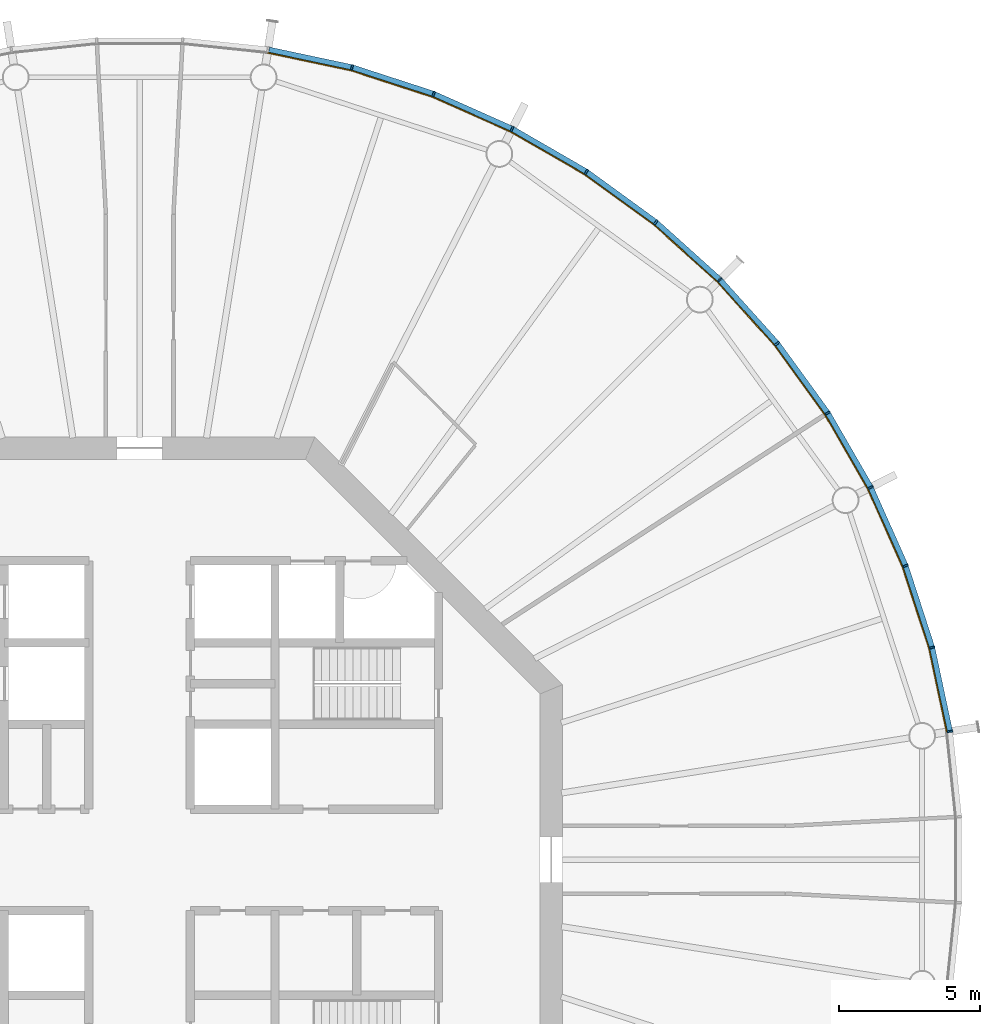
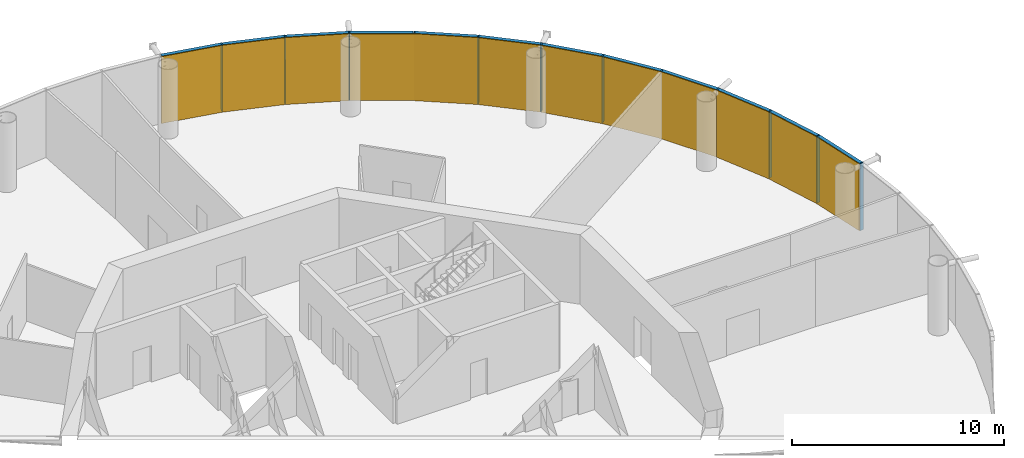
# One storey, part 16 of 17: 24 members, 4 curtain walls.
"""IFC4 building model written with IfcOpenShell, lengths in metres."""

import ifcopenshell
import ifcopenshell.guid

model = None  # the IFC model being written
_history = None  # IfcOwnerHistory: only IFC2X3 demands one
_inside = {}  # id of a spatial element -> (the spatial element, [elements in it])
_under = {}  # id of a project, library or spatial element -> (it, [spatial elements below it])
_declared = {}  # id of a project -> (the project, [libraries it declares])
_typed = {}  # id of a type object -> (the type object, [elements of that type])
_made_of = {}  # id of a material, layer set ... -> (it, [elements and type objects made of it])


def new_model(schema):
    """Start an empty IFC model of exactly this schema.

    Asked for "IFC4X3", IfcOpenShell would pick the latest addendum, in which some entities
    have other attributes; the version numbers below select the first issue.
    IFC2X3 requires an IfcOwnerHistory on every rooted entity: one is made here for all.
    """
    global model, _history
    if schema == "IFC4X3":
        model = ifcopenshell.file(schema_version=(4, 3, 0, 0))
    else:
        model = ifcopenshell.file(schema=schema)
    _inside.clear()
    _under.clear()
    _declared.clear()
    _typed.clear()
    _made_of.clear()
    _history = None
    if model.schema == "IFC2X3":
        org = make("IfcOrganization", Name="unknown")
        user = make(
            "IfcPersonAndOrganization",
            ThePerson=make("IfcPerson", FamilyName="unknown"),
            TheOrganization=org,
        )
        app = make(
            "IfcApplication",
            ApplicationDeveloper=org,
            Version="unknown",
            ApplicationFullName="unknown",
            ApplicationIdentifier="unknown",
        )
        _history = make(
            "IfcOwnerHistory",
            OwningUser=user,
            OwningApplication=app,
            ChangeAction="ADDED",
            CreationDate=0,
        )
    return model


def make(cls, **values):
    """One entity of the class cls with the attributes given. An attribute that is None is left unset."""
    return model.create_entity(
        cls, **{name: value for name, value in values.items() if value is not None}
    )


def rooted(cls, **values):
    """An entity with a GlobalId (a new one), such as an element, a storey or a relation."""
    return make(cls, GlobalId=ifcopenshell.guid.new(), OwnerHistory=_history, **values)


def si_unit(unit_type, name, prefix=None):
    """IfcSIUnit, for example si_unit("LENGTHUNIT", "METRE", prefix="MILLI")."""
    return make("IfcSIUnit", UnitType=unit_type, Prefix=prefix, Name=name)


def assignment(units):
    """IfcUnitAssignment: the units of a project."""
    return None if units is None else make("IfcUnitAssignment", Units=units)


def point(xyz):
    """IfcCartesianPoint."""
    return None if xyz is None else make("IfcCartesianPoint", Coordinates=xyz)


def direction(xyz):
    """IfcDirection."""
    return None if xyz is None else make("IfcDirection", DirectionRatios=xyz)


def frame(location, z_axis=None, x_axis=None):
    """IfcAxis2Placement3D, a coordinate frame: its origin and axes. An axis left out is left unset."""
    return make(
        "IfcAxis2Placement3D",
        Location=point(location),
        Axis=direction(z_axis),
        RefDirection=direction(x_axis),
    )


def frame_2d(location, x_axis=None):
    """IfcAxis2Placement2D, a coordinate frame in the plane: its origin and x axis."""
    return make(
        "IfcAxis2Placement2D", Location=point(location), RefDirection=direction(x_axis)
    )


def origin():
    """The frame at (0, 0, 0) with its axes left unset."""
    return frame((0.0, 0.0, 0.0))


def origin_2d():
    """The frame at (0, 0) in the plane with its x axis left unset."""
    return frame_2d((0.0, 0.0))


def place(relative_to, where):
    """IfcLocalPlacement: puts the frame where relative to a parent placement (None: the world)."""
    return make(
        "IfcLocalPlacement", PlacementRelTo=relative_to, RelativePlacement=where
    )


def context(
    kind, dimensions, precision=None, world=None, true_north=None, identifier=None
):
    """IfcGeometricRepresentationContext, for example the 3D "Model" context."""
    return make(
        "IfcGeometricRepresentationContext",
        ContextIdentifier=identifier,
        ContextType=kind,
        CoordinateSpaceDimension=dimensions,
        Precision=precision,
        WorldCoordinateSystem=world,
        TrueNorth=true_north,
    )


def subcontext(parent, identifier, kind, view, scale=None):
    """IfcGeometricRepresentationSubContext, for example "Body" below "Model"."""
    return make(
        "IfcGeometricRepresentationSubContext",
        ContextIdentifier=identifier,
        ContextType=kind,
        ParentContext=parent,
        TargetScale=scale,
        TargetView=view,
    )


def project(units=None, contexts=None):
    """IfcProject with its units and contexts."""
    return rooted(
        "IfcProject",
        Name="project",
        RepresentationContexts=contexts,
        UnitsInContext=assignment(units),
    )


def spatial(cls, under=None, at=None, **own):
    """A site, building, storey or space (cls), placed at a placement, below another one or the project."""
    s = rooted(cls, ObjectPlacement=at, **own)
    if under is not None:
        _under.setdefault(under.id(), (under, []))[1].append(s)
    return s


def polyline(points):
    """IfcPolyline through the points."""
    return make("IfcPolyline", Points=[point(p) for p in points])


def profile(cls, at=None, kind="AREA", **sizes):
    """A parametric profile (cls). Its sizes go by their IFC names, for example OverallWidth=200.0."""
    return make(cls, ProfileType=kind, Position=at, **sizes)


def rectangle(**sizes):
    """IfcRectangleProfileDef."""
    return profile("IfcRectangleProfileDef", **sizes)


def outline(outer, holes=None, kind="AREA"):
    """IfcArbitraryClosedProfileDef: a profile drawn as a closed curve; with holes, ...WithVoids."""
    if holes is None:
        return make("IfcArbitraryClosedProfileDef", ProfileType=kind, OuterCurve=outer)
    return make(
        "IfcArbitraryProfileDefWithVoids",
        ProfileType=kind,
        OuterCurve=outer,
        InnerCurves=holes,
    )


def extrude(swept, where, along, depth):
    """IfcExtrudedAreaSolid: the profile swept, set in the frame where, extruded along a direction by depth."""
    return make(
        "IfcExtrudedAreaSolid",
        SweptArea=swept,
        Position=where,
        ExtrudedDirection=direction(along),
        Depth=depth,
    )


def shape(context_of_items, identifier, shape_type, items):
    """IfcShapeRepresentation: the items that make up one representation, for example the "Body"."""
    return make(
        "IfcShapeRepresentation",
        ContextOfItems=context_of_items,
        RepresentationIdentifier=identifier,
        RepresentationType=shape_type,
        Items=items,
    )


def material(Name=None, Category=None):
    """IfcMaterial."""
    return make("IfcMaterial", Name=Name, Category=Category)


def layer(
    of_material, thickness, ventilated=None, Name=None, Category=None, Priority=None
):
    """IfcMaterialLayer: one layer of a wall or slab, of a material (None: an air gap)."""
    return make(
        "IfcMaterialLayer",
        Material=of_material,
        LayerThickness=thickness,
        IsVentilated=ventilated,
        Name=Name,
        Category=Category,
        Priority=Priority,
    )


def layer_set(layers, Name=None):
    """IfcMaterialLayerSet."""
    return make("IfcMaterialLayerSet", MaterialLayers=layers, LayerSetName=Name)


def material_profile(
    of_material, cross_section, Name=None, Category=None, Priority=None
):
    """IfcMaterialProfile: a cross section and its material."""
    return make(
        "IfcMaterialProfile",
        Name=Name,
        Material=of_material,
        Profile=cross_section,
        Priority=Priority,
        Category=Category,
    )


def profile_set(profiles, Name=None, composite=None):
    """IfcMaterialProfileSet."""
    return make(
        "IfcMaterialProfileSet",
        Name=Name,
        MaterialProfiles=profiles,
        CompositeProfile=composite,
    )


def made_of(thing, what):
    """Note that an element or type object is made of a material, layer set ...; save() writes the relation."""
    if what is not None:
        _made_of.setdefault(what.id(), (what, []))[1].append(thing)
    return thing


def type_object(cls, material=None, **own):
    """A type object (cls), such as IfcWallType, which elements share."""
    return made_of(rooted(cls, **own), material)


def element(
    cls,
    number,
    at=None,
    inside=None,
    cuts=None,
    type_object=None,
    material=None,
    context=None,
    identifier="Body",
    shape_type=None,
    held_by="IfcProductDefinitionShape",
    body=None,
    shapes=None,
    **own,
):
    """One element of the class cls, such as IfcWall. Its Tag is "e" and its number.

    at: its placement. inside: the storey or other place that contains it. cuts: it is an
    opening in that element (IfcRelVoidsElement). A single representation is given by context,
    identifier, shape_type and body (its items); several are given by shapes. held_by: the class
    of the entity that holds the representations. save() writes the other relations.
    """
    e = rooted(cls, Tag="e%d" % number, ObjectPlacement=at, **own)
    if body is not None:
        shapes = [shape(context, identifier, shape_type, body)]
    if shapes is not None:
        e.Representation = make(held_by, Representations=shapes)
    if inside is not None:
        _inside.setdefault(inside.id(), (inside, []))[1].append(e)
    if cuts is not None:
        rooted(
            "IfcRelVoidsElement", RelatingBuildingElement=cuts, RelatedOpeningElement=e
        )
    if type_object is not None:
        _typed.setdefault(type_object.id(), (type_object, []))[1].append(e)
    return made_of(e, material)


def aggregate(whole, parts):
    """IfcRelAggregates: a whole, such as a stair, and the parts it consists of."""
    return rooted("IfcRelAggregates", RelatingObject=whole, RelatedObjects=parts)


def save(model, path):
    """Write the relations noted so far, then the file.

    IfcRelAggregates (storeys below a building ...), IfcRelContainedInSpatialStructure (elements
    in a storey), IfcRelDefinesByType, IfcRelAssociatesMaterial and IfcRelDeclares: one each for
    every whole, place, type object, material and project.
    """
    for whole, parts in _under.values():
        aggregate(whole, parts)
    for where, things in _inside.values():
        rooted(
            "IfcRelContainedInSpatialStructure",
            RelatedElements=things,
            RelatingStructure=where,
        )
    for kind, things in _typed.values():
        rooted("IfcRelDefinesByType", RelatedObjects=things, RelatingType=kind)
    for what, things in _made_of.values():
        rooted("IfcRelAssociatesMaterial", RelatedObjects=things, RelatingMaterial=what)
    for by, libraries in _declared.values():
        rooted("IfcRelDeclares", RelatingContext=by, RelatedDefinitions=libraries)
    model.write(path)


model = new_model("IFC4")

# Units and contexts
model_context = context("Model", 3, precision=1e-05, world=origin(), true_north=direction((0.0, 1.0)))
body_context = subcontext(model_context, "Body", "Model", "MODEL_VIEW")
ifc_project = project(units=[si_unit("LENGTHUNIT", "METRE"), si_unit("AREAUNIT", "SQUARE_METRE"), si_unit("VOLUMEUNIT", "CUBIC_METRE"), si_unit("PLANEANGLEUNIT", "RADIAN"), si_unit("MASSUNIT", "GRAM", prefix="KILO")], contexts=[model_context])

# Member
ifc_material_1 = material(Name="Anodised aluminium", Category="aluminium")
ifc_material_profile_1 = material_profile(ifc_material_1, rectangle(XDim=0.06494140625, YDim=0.195068359375, at=origin_2d()), Name="Mullion 65 x 195 mm anodised aluminium")
ifc_profile_set_1 = profile_set([ifc_material_profile_1], Name="Anodised aluminium")
member_type_1 = type_object("IfcMemberType", Name="Mullion 65 x 195 mm anodised aluminium", PredefinedType="MULLION", material=ifc_profile_set_1)
site_placement = place(None, origin())
building_placement = place(site_placement, origin())
storey_placement = place(building_placement, frame((0.0, 0.0, 306.0)))
member_1_placement = place(storey_placement, frame((118.7392578125, 84.5517578125, 0.0), z_axis=(0.0, 0.0, 1.0), x_axis=(-0.15643446504, 0.987688340595, 0.0)))
member_1 = element("IfcMember", 1, at=member_1_placement, type_object=member_type_1, Name="MULLION L70-00", PredefinedType="MULLION", context=body_context, shape_type="SweptSolid", body=[
    extrude(rectangle(XDim=0.06494140625, YDim=0.195068359375, at=origin_2d()), origin(), (0.0, 0.0, 1.0), 3.85009765625),
])

member_2_placement = place(storey_placement, frame((118.10595703125, 87.531005859375, 0.0), z_axis=(0.0, 0.0, 1.0), x_axis=(-0.258819045103, 0.965925826289, 0.0)))
member_2 = element("IfcMember", 2, at=member_2_placement, type_object=member_type_1, Name="MULLION L70-01", PredefinedType="MULLION", context=body_context, shape_type="SweptSolid", body=[
    extrude(rectangle(XDim=0.06494140625, YDim=0.195068359375, at=origin_2d()), origin(), (0.0, 0.0, 1.0), 3.85009765625),
])

member_3_placement = place(storey_placement, frame((117.164794921875, 90.427490234375, 0.0), z_axis=(0.0, 0.0, 1.0), x_axis=(-0.358367949545, 0.933580426497, 0.0)))
member_3 = element("IfcMember", 3, at=member_3_placement, type_object=member_type_1, Name="MULLION L70-02", PredefinedType="MULLION", context=body_context, shape_type="SweptSolid", body=[
    extrude(rectangle(XDim=0.06494140625, YDim=0.195068359375, at=origin_2d()), origin(), (0.0, 0.0, 1.0), 3.85009765625),
])

member_4_placement = place(storey_placement, frame((115.926025390625, 93.2099609375, 0.0), z_axis=(0.0, 0.0, 1.0), x_axis=(-0.45399049974, 0.891006524188, 0.0)))
member_4 = element("IfcMember", 4, at=member_4_placement, type_object=member_type_1, Name="MULLION L70-03", PredefinedType="MULLION", context=body_context, shape_type="SweptSolid", body=[
    extrude(rectangle(XDim=0.06494140625, YDim=0.195068359375, at=origin_2d()), origin(), (0.0, 0.0, 1.0), 3.85009765625),
])

member_5_placement = place(storey_placement, frame((114.4033203125, 95.84765625, 0.0), z_axis=(0.0, 0.0, 1.0), x_axis=(-0.544639035015, 0.838670567945, 0.0)))
member_5 = element("IfcMember", 5, at=member_5_placement, type_object=member_type_1, Name="MULLION L70-04", PredefinedType="MULLION", context=body_context, shape_type="SweptSolid", body=[
    extrude(rectangle(XDim=0.06494140625, YDim=0.195068359375, at=origin_2d()), origin(), (0.0, 0.0, 1.0), 3.85009765625),
])

member_6_placement = place(storey_placement, frame((112.613037109375, 98.311767578125, 0.0), z_axis=(0.0, 0.0, 1.0), x_axis=(-0.62932039105, 0.777145961457, 0.0)))
member_6 = element("IfcMember", 6, at=member_6_placement, type_object=member_type_1, Name="MULLION L70-05", PredefinedType="MULLION", context=body_context, shape_type="SweptSolid", body=[
    extrude(rectangle(XDim=0.06494140625, YDim=0.195068359375, at=origin_2d()), origin(), (0.0, 0.0, 1.0), 3.85009765625),
])

member_7_placement = place(storey_placement, frame((110.574951171875, 100.574951171875, 0.0), z_axis=(0.0, 0.0, 1.0), x_axis=(-0.707106781187, 0.707106781187, 0.0)))
member_7 = element("IfcMember", 7, at=member_7_placement, type_object=member_type_1, Name="MULLION L70-06", PredefinedType="MULLION", context=body_context, shape_type="SweptSolid", body=[
    extrude(rectangle(XDim=0.06494140625, YDim=0.195068359375, at=origin_2d()), origin(), (0.0, 0.0, 1.0), 3.85009765625),
])

member_8_placement = place(storey_placement, frame((108.311767578125, 102.613037109375, 0.0), z_axis=(0.0, 0.0, 1.0), x_axis=(-0.777145961457, 0.62932039105, 0.0)))
member_8 = element("IfcMember", 8, at=member_8_placement, type_object=member_type_1, Name="MULLION L70-07", PredefinedType="MULLION", context=body_context, shape_type="SweptSolid", body=[
    extrude(rectangle(XDim=0.06494140625, YDim=0.195068359375, at=origin_2d()), origin(), (0.0, 0.0, 1.0), 3.85009765625),
])

member_9_placement = place(storey_placement, frame((105.84765625, 104.4033203125, 0.0), z_axis=(0.0, 0.0, 1.0), x_axis=(-0.838670567945, 0.544639035015, 0.0)))
member_9 = element("IfcMember", 9, at=member_9_placement, type_object=member_type_1, Name="MULLION L70-08", PredefinedType="MULLION", context=body_context, shape_type="SweptSolid", body=[
    extrude(rectangle(XDim=0.06494140625, YDim=0.195068359375, at=origin_2d()), origin(), (0.0, 0.0, 1.0), 3.85009765625),
])

member_10_placement = place(storey_placement, frame((103.2099609375, 105.926025390625, 0.0), z_axis=(0.0, 0.0, 1.0), x_axis=(-0.891006524188, 0.45399049974, 0.0)))
member_10 = element("IfcMember", 10, at=member_10_placement, type_object=member_type_1, Name="MULLION L70-09", PredefinedType="MULLION", context=body_context, shape_type="SweptSolid", body=[
    extrude(rectangle(XDim=0.06494140625, YDim=0.195068359375, at=origin_2d()), origin(), (0.0, 0.0, 1.0), 3.85009765625),
])

member_11_placement = place(storey_placement, frame((100.427490234375, 107.164794921875, 0.0), z_axis=(0.0, 0.0, 1.0), x_axis=(-0.933580426497, 0.358367949545, 0.0)))
member_11 = element("IfcMember", 11, at=member_11_placement, type_object=member_type_1, Name="MULLION L70-10", PredefinedType="MULLION", context=body_context, shape_type="SweptSolid", body=[
    extrude(rectangle(XDim=0.06494140625, YDim=0.195068359375, at=origin_2d()), origin(), (0.0, 0.0, 1.0), 3.85009765625),
])

member_12_placement = place(storey_placement, frame((97.531005859375, 108.10595703125, 0.0), z_axis=(0.0, 0.0, 1.0), x_axis=(-0.965925826289, 0.258819045103, 0.0)))
member_12 = element("IfcMember", 12, at=member_12_placement, type_object=member_type_1, Name="MULLION L70-11", PredefinedType="MULLION", context=body_context, shape_type="SweptSolid", body=[
    extrude(rectangle(XDim=0.06494140625, YDim=0.195068359375, at=origin_2d()), origin(), (0.0, 0.0, 1.0), 3.85009765625),
])

ifc_material_2 = material(Name="Anodised aluminium", Category="aluminium")
ifc_material_profile_2 = material_profile(ifc_material_2, rectangle(XDim=0.195068359375, YDim=0.179931640625, at=origin_2d()), Name="Transom 180 x 195 mm anodised aluminium")
ifc_profile_set_2 = profile_set([ifc_material_profile_2], Name="Anodised aluminium")
member_type_2 = type_object("IfcMemberType", Name="Transom 180 x 195 mm anodised aluminium", PredefinedType="USERDEFINED", material=ifc_profile_set_2)
member_13_placement = place(storey_placement, frame((118.731689453125, 84.588623046875, 3.760009765625), z_axis=(-0.207940342877, 0.978141510112, 0.0), x_axis=(-0.978141510112, -0.207940342877, 0.0)))
member_13 = element("IfcMember", 13, at=member_13_placement, type_object=member_type_2, Name="TRANSOM L70-00", ObjectType="TRANSOM", PredefinedType="USERDEFINED", context=body_context, shape_type="SweptSolid", body=[
    extrude(rectangle(XDim=0.195068359375, YDim=0.179931640625, at=origin_2d()), origin(), (0.0, 0.0, 1.0), 2.970458984375),
])

member_14_placement = place(storey_placement, frame((118.094482421875, 87.56689453125, 3.760009765625), z_axis=(-0.309043326415, 0.951047960094, 0.0), x_axis=(-0.951047960094, -0.309043326415, 0.0)))
member_14 = element("IfcMember", 14, at=member_14_placement, type_object=member_type_2, Name="TRANSOM L70-01", ObjectType="TRANSOM", PredefinedType="USERDEFINED", context=body_context, shape_type="SweptSolid", body=[
    extrude(rectangle(XDim=0.195068359375, YDim=0.179931640625, at=origin_2d()), origin(), (0.0, 0.0, 1.0), 2.970458984375),
])

member_15_placement = place(storey_placement, frame((117.149658203125, 90.4619140625, 3.760009765625), z_axis=(-0.406725527369, 0.913550406593, 0.0), x_axis=(-0.913550406593, -0.406725527369, 0.0)))
member_15 = element("IfcMember", 15, at=member_15_placement, type_object=member_type_2, Name="TRANSOM L70-02", ObjectType="TRANSOM", PredefinedType="USERDEFINED", context=body_context, shape_type="SweptSolid", body=[
    extrude(rectangle(XDim=0.195068359375, YDim=0.179931640625, at=origin_2d()), origin(), (0.0, 0.0, 1.0), 2.970703125),
])

member_16_placement = place(storey_placement, frame((115.907470703125, 93.24267578125, 3.760009765625), z_axis=(-0.500028367561, 0.866009025146, 0.0), x_axis=(-0.866009025146, -0.500028367561, 0.0)))
member_16 = element("IfcMember", 16, at=member_16_placement, type_object=member_type_2, Name="TRANSOM L70-03", ObjectType="TRANSOM", PredefinedType="USERDEFINED", context=body_context, shape_type="SweptSolid", body=[
    extrude(rectangle(XDim=0.195068359375, YDim=0.179931640625, at=origin_2d()), origin(), (0.0, 0.0, 1.0), 2.970458984375),
])

member_17_placement = place(storey_placement, frame((114.381103515625, 95.878173828125, 3.760009765625), z_axis=(-0.587765987476, 0.809030990733, 0.0), x_axis=(-0.809030990733, -0.587765987476, 0.0)))
member_17 = element("IfcMember", 17, at=member_17_placement, type_object=member_type_2, Name="TRANSOM L70-04", ObjectType="TRANSOM", PredefinedType="USERDEFINED", context=body_context, shape_type="SweptSolid", body=[
    extrude(rectangle(XDim=0.195068359375, YDim=0.179931640625, at=origin_2d()), origin(), (0.0, 0.0, 1.0), 2.97021484375),
])

member_18_placement = place(storey_placement, frame((112.587890625, 98.339599609375, 3.760009765625), z_axis=(-0.669110027395, 0.743163354343, 0.0), x_axis=(-0.743163354343, -0.669110027395, 0.0)))
member_18 = element("IfcMember", 18, at=member_18_placement, type_object=member_type_2, Name="TRANSOM L70-05", ObjectType="TRANSOM", PredefinedType="USERDEFINED", context=body_context, shape_type="SweptSolid", body=[
    extrude(rectangle(XDim=0.195068359375, YDim=0.179931640625, at=origin_2d()), origin(), (0.0, 0.0, 1.0), 2.970458984375),
])

member_19_placement = place(storey_placement, frame((110.547119140625, 100.600341796875, 3.760009765625), z_axis=(-0.743163354343, 0.669110027395, 0.0), x_axis=(-0.669110027395, -0.743163354343, 0.0)))
member_19 = element("IfcMember", 19, at=member_19_placement, type_object=member_type_2, Name="TRANSOM L70-06", ObjectType="TRANSOM", PredefinedType="USERDEFINED", context=body_context, shape_type="SweptSolid", body=[
    extrude(rectangle(XDim=0.195068359375, YDim=0.179931640625, at=origin_2d()), origin(), (0.0, 0.0, 1.0), 2.970458984375),
])

member_20_placement = place(storey_placement, frame((108.28125, 102.63525390625, 3.760009765625), z_axis=(-0.809030990733, 0.587765987476, 0.0), x_axis=(-0.587765987476, -0.809030990733, 0.0)))
member_20 = element("IfcMember", 20, at=member_20_placement, type_object=member_type_2, Name="TRANSOM L70-07", ObjectType="TRANSOM", PredefinedType="USERDEFINED", context=body_context, shape_type="SweptSolid", body=[
    extrude(rectangle(XDim=0.195068359375, YDim=0.179931640625, at=origin_2d()), origin(), (0.0, 0.0, 1.0), 2.97021484375),
])

member_21_placement = place(storey_placement, frame((105.815185546875, 104.422119140625, 3.760009765625), z_axis=(-0.866009025146, 0.500028367561, 0.0), x_axis=(-0.500028367561, -0.866009025146, 0.0)))
member_21 = element("IfcMember", 21, at=member_21_placement, type_object=member_type_2, Name="TRANSOM L70-08", ObjectType="TRANSOM", PredefinedType="USERDEFINED", context=body_context, shape_type="SweptSolid", body=[
    extrude(rectangle(XDim=0.195068359375, YDim=0.179931640625, at=origin_2d()), origin(), (0.0, 0.0, 1.0), 2.970458984375),
])

member_22_placement = place(storey_placement, frame((103.17578125, 105.94140625, 3.760009765625), z_axis=(-0.913550406593, 0.406725527369, 0.0), x_axis=(-0.406725527369, -0.913550406593, 0.0)))
member_22 = element("IfcMember", 22, at=member_22_placement, type_object=member_type_2, Name="TRANSOM L70-09", ObjectType="TRANSOM", PredefinedType="USERDEFINED", context=body_context, shape_type="SweptSolid", body=[
    extrude(rectangle(XDim=0.195068359375, YDim=0.179931640625, at=origin_2d()), origin(), (0.0, 0.0, 1.0), 2.970703125),
])

member_23_placement = place(storey_placement, frame((100.391845703125, 107.176513671875, 3.760009765625), z_axis=(-0.951047960094, 0.309043326415, 0.0), x_axis=(-0.309043326415, -0.951047960094, 0.0)))
member_23 = element("IfcMember", 23, at=member_23_placement, type_object=member_type_2, Name="TRANSOM L70-10", ObjectType="TRANSOM", PredefinedType="USERDEFINED", context=body_context, shape_type="SweptSolid", body=[
    extrude(rectangle(XDim=0.195068359375, YDim=0.179931640625, at=origin_2d()), origin(), (0.0, 0.0, 1.0), 2.970458984375),
])

member_24_placement = place(storey_placement, frame((97.494140625, 108.114013671875, 3.760009765625), z_axis=(-0.978141510112, 0.207940342877, 0.0), x_axis=(-0.207940342877, -0.978141510112, 0.0)))
member_24 = element("IfcMember", 24, at=member_24_placement, type_object=member_type_2, Name="TRANSOM L70-11", ObjectType="TRANSOM", PredefinedType="USERDEFINED", context=body_context, shape_type="SweptSolid", body=[
    extrude(rectangle(XDim=0.195068359375, YDim=0.179931640625, at=origin_2d()), origin(), (0.0, 0.0, 1.0), 2.970458984375),
])

# Site, building, storey
site = spatial("IfcSite", under=ifc_project, at=site_placement, CompositionType="ELEMENT")
building = spatial("IfcBuilding", under=site, at=building_placement, Name="Entoto Ring Tower", CompositionType="ELEMENT")
storey = spatial("IfcBuildingStorey", under=building, at=storey_placement, Name="L70", CompositionType="ELEMENT", Elevation=306.0)

# Curtain wall
ifc_material_3 = material(Name="Clear low-iron glass", Category="glass")
ifc_layer = layer(ifc_material_3, 0.033935546875)
ifc_layer_set = layer_set([ifc_layer], Name="Clear low-iron glass")
curtain_wall_type = type_object("IfcCurtainWallType", Name="Curtain wall system CW5 glazing 34 mm", PredefinedType="NOTDEFINED", material=ifc_layer_set)
curtain_wall_1_placement = place(storey_placement, origin())
curtain_wall_1 = element("IfcCurtainWall", 25, at=curtain_wall_1_placement, inside=storey, type_object=curtain_wall_type, Name="CW5 L70-01", PredefinedType="NOTDEFINED", context=body_context, shape_type="SweptSolid", body=[
    extrude(outline(polyline([(118.64306640625, 84.53662109375), (118.011962890625, 87.505859375), (117.07373046875, 90.392578125), (115.839111328125, 93.165771484375), (115.808837890625, 93.150146484375), (117.0419921875, 90.38037109375), (117.97900390625, 87.496826171875), (118.609375, 84.53125), (118.64306640625, 84.53662109375)])), origin(), (0.0, 0.0, 1.0), 3.85009765625),
])

aggregate(curtain_wall_1, [member_1, member_2, member_3, member_13, member_14, member_15])

curtain_wall_2_placement = place(storey_placement, origin())
curtain_wall_2 = element("IfcCurtainWall", 26, at=curtain_wall_2_placement, inside=storey, type_object=curtain_wall_type, Name="CW5 L70-02", PredefinedType="NOTDEFINED", context=body_context, shape_type="SweptSolid", body=[
    extrude(outline(polyline([(115.839111328125, 93.165771484375), (114.321533203125, 95.79443359375), (112.537353515625, 98.250244140625), (110.506103515625, 100.506103515625), (110.48193359375, 100.48193359375), (112.5107421875, 98.228759765625), (114.29296875, 95.77587890625), (115.808837890625, 93.150146484375), (115.839111328125, 93.165771484375)])), origin(), (0.0, 0.0, 1.0), 3.85009765625),
])

aggregate(curtain_wall_2, [member_4, member_5, member_6, member_16, member_17, member_18])

curtain_wall_3_placement = place(storey_placement, origin())
curtain_wall_3 = element("IfcCurtainWall", 27, at=curtain_wall_3_placement, inside=storey, type_object=curtain_wall_type, Name="CW5 L70-03", PredefinedType="NOTDEFINED", context=body_context, shape_type="SweptSolid", body=[
    extrude(outline(polyline([(110.506103515625, 100.506103515625), (108.250244140625, 102.537353515625), (105.79443359375, 104.321533203125), (103.165771484375, 105.839111328125), (103.150146484375, 105.808837890625), (105.77587890625, 104.29296875), (108.228759765625, 102.5107421875), (110.48193359375, 100.48193359375), (110.506103515625, 100.506103515625)])), origin(), (0.0, 0.0, 1.0), 3.85009765625),
])

aggregate(curtain_wall_3, [member_7, member_8, member_9, member_19, member_20, member_21])

curtain_wall_4_placement = place(storey_placement, origin())
curtain_wall_4 = element("IfcCurtainWall", 28, at=curtain_wall_4_placement, inside=storey, type_object=curtain_wall_type, Name="CW5 L70-04", PredefinedType="NOTDEFINED", context=body_context, shape_type="SweptSolid", body=[
    extrude(outline(polyline([(103.165771484375, 105.839111328125), (100.392578125, 107.07373046875), (97.505859375, 108.011962890625), (94.53662109375, 108.64306640625), (94.53125, 108.609375), (97.496826171875, 107.97900390625), (100.38037109375, 107.0419921875), (103.150146484375, 105.808837890625), (103.165771484375, 105.839111328125)])), origin(), (0.0, 0.0, 1.0), 3.85009765625),
])

aggregate(curtain_wall_4, [member_10, member_11, member_12, member_22, member_23, member_24])

save(model, "model.ifc")
